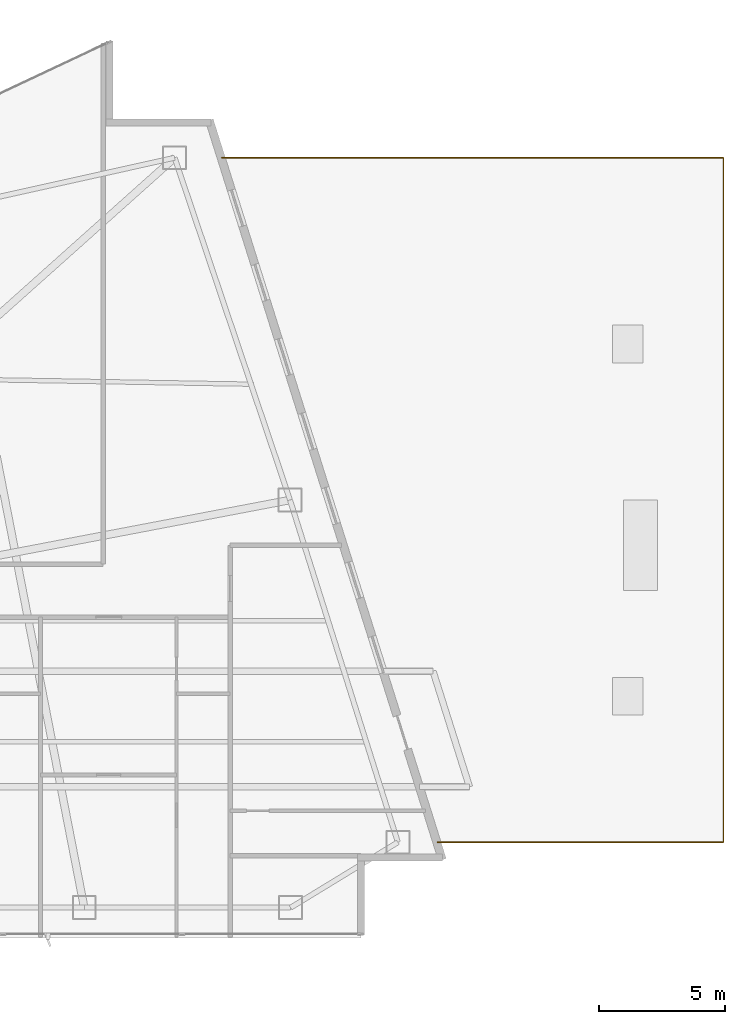
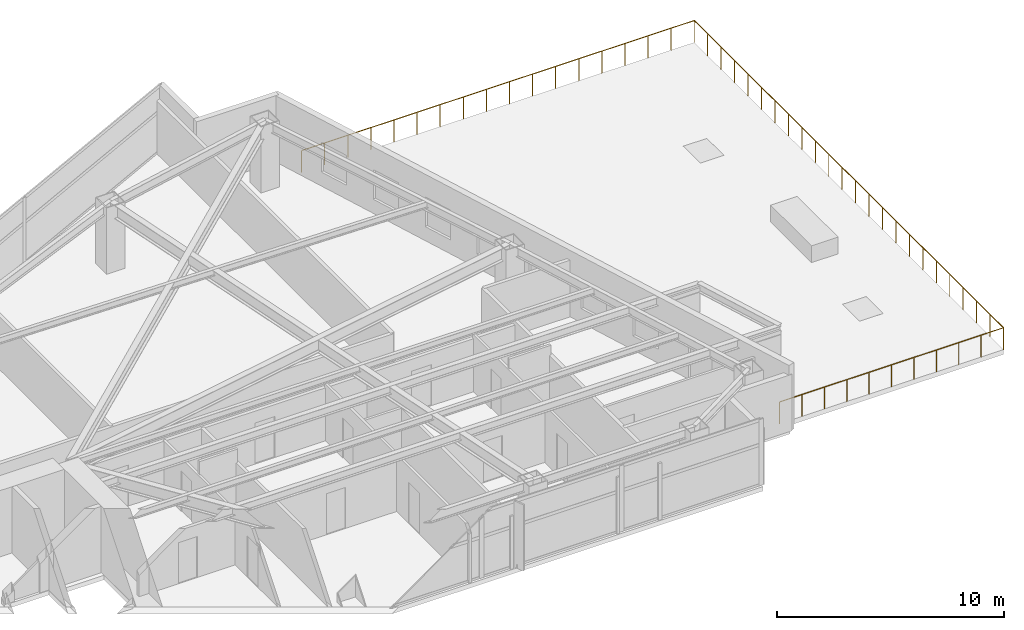
# One storey, part 30 of 30: 1 railing.
"""IFC4 building model written with IfcOpenShell, lengths in metres."""

from ifc_helpers import new_model, si_unit, direction, frame, origin, origin_2d, place, context, subcontext, project, spatial, circle, extrude, material, type_object, element, save


model = new_model("IFC4")

# Units and contexts
model_context = context("Model", 3, precision=1e-05, world=origin(), true_north=direction((0.0, 1.0)))
body_context = subcontext(model_context, "Body", "Model", "MODEL_VIEW")
ifc_project = project(units=[si_unit("LENGTHUNIT", "METRE"), si_unit("AREAUNIT", "SQUARE_METRE"), si_unit("VOLUMEUNIT", "CUBIC_METRE"), si_unit("PLANEANGLEUNIT", "RADIAN"), si_unit("MASSUNIT", "GRAM", prefix="KILO")], contexts=[model_context])

# Site, building, storey
site_placement = place(None, origin())
site = spatial("IfcSite", under=ifc_project, at=site_placement, CompositionType="ELEMENT")
building_placement = place(site_placement, origin())
building = spatial("IfcBuilding", under=site, at=building_placement, Name="Calvorn Quay Hotel", CompositionType="ELEMENT")
storey_placement = place(building_placement, frame((0.0, 0.0, 27.0)))
storey = spatial("IfcBuildingStorey", under=building, at=storey_placement, Name="L05", CompositionType="ELEMENT", Elevation=27.0)

# Railing
ifc_material = material(Name="Pale Anodised Aluminium and Laminated Glass", Category="aluminium")
railing_type = type_object("IfcRailingType", Name="RLG-BALUSTRADE-1200", PredefinedType="BALUSTRADE", material=ifc_material)
railing_placement = place(storey_placement, frame((63.430908203125, 6.199951171875, 0.0)))
element("IfcRailing", 1, at=railing_placement, inside=storey, type_object=railing_type, Name="Podium Roof Garden Balustrade", PredefinedType="BALUSTRADE", context=body_context, shape_type="SweptSolid", body=[
    extrude(circle(Radius=0.02392578125, at=origin_2d()), frame((0.0, 0.0, 1.17578125), z_axis=(1.0, 0.0, 0.0), x_axis=(0.0, 1.0, 0.0)), (0.0, 0.0, 1.0), 11.369140625),
    extrude(circle(Radius=0.02392578125, at=origin_2d()), frame((11.369140625, 0.0, 1.17578125), z_axis=(0.0, 1.0, 0.0), x_axis=(-1.0, 0.0, 0.0)), (0.0, 0.0, 1.0), 27.199951171875),
    extrude(circle(Radius=0.02392578125, at=origin_2d()), frame((11.369140625, 27.199951171875, 1.17578125), z_axis=(-1.0, 0.0, 0.0), x_axis=(0.0, -1.0, 0.0)), (0.0, 0.0, 1.0), 19.93896484375),
    extrude(circle(Radius=0.02099609375, at=origin_2d()), origin(), (0.0, 0.0, 1.0), 1.15185546875),
    extrude(circle(Radius=0.02099609375, at=origin_2d()), frame((1.136962890625, 0.0, 0.0)), (0.0, 0.0, 1.0), 1.15185546875),
    extrude(circle(Radius=0.02099609375, at=origin_2d()), frame((2.27392578125, 0.0, 0.0)), (0.0, 0.0, 1.0), 1.15185546875),
    extrude(circle(Radius=0.02099609375, at=origin_2d()), frame((3.41064453125, 0.0, 0.0)), (0.0, 0.0, 1.0), 1.15185546875),
    extrude(circle(Radius=0.02099609375, at=origin_2d()), frame((4.547607421875, 0.0, 0.0)), (0.0, 0.0, 1.0), 1.15185546875),
    extrude(circle(Radius=0.02099609375, at=origin_2d()), frame((5.6845703125, 0.0, 0.0)), (0.0, 0.0, 1.0), 1.15185546875),
    extrude(circle(Radius=0.02099609375, at=origin_2d()), frame((6.821533203125, 0.0, 0.0)), (0.0, 0.0, 1.0), 1.15185546875),
    extrude(circle(Radius=0.02099609375, at=origin_2d()), frame((7.95849609375, 0.0, 0.0)), (0.0, 0.0, 1.0), 1.15185546875),
    extrude(circle(Radius=0.02099609375, at=origin_2d()), frame((9.09521484375, 0.0, 0.0)), (0.0, 0.0, 1.0), 1.15185546875),
    extrude(circle(Radius=0.02099609375, at=origin_2d()), frame((10.232177734375, 0.0, 0.0)), (0.0, 0.0, 1.0), 1.15185546875),
    extrude(circle(Radius=0.02099609375, at=origin_2d()), frame((11.369140625, 0.0, 0.0)), (0.0, 0.0, 1.0), 1.15185546875),
    extrude(circle(Radius=0.02099609375, at=origin_2d()), frame((11.369140625, 1.1826171875, 0.0)), (0.0, 0.0, 1.0), 1.15185546875),
    extrude(circle(Radius=0.02099609375, at=origin_2d()), frame((11.369140625, 2.365234375, 0.0)), (0.0, 0.0, 1.0), 1.15185546875),
    extrude(circle(Radius=0.02099609375, at=origin_2d()), frame((11.369140625, 3.5478515625, 0.0)), (0.0, 0.0, 1.0), 1.15185546875),
    extrude(circle(Radius=0.02099609375, at=origin_2d()), frame((11.369140625, 4.73046875, 0.0)), (0.0, 0.0, 1.0), 1.15185546875),
    extrude(circle(Radius=0.02099609375, at=origin_2d()), frame((11.369140625, 5.9130859375, 0.0)), (0.0, 0.0, 1.0), 1.15185546875),
    extrude(circle(Radius=0.02099609375, at=origin_2d()), frame((11.369140625, 7.095703125, 0.0)), (0.0, 0.0, 1.0), 1.15185546875),
    extrude(circle(Radius=0.02099609375, at=origin_2d()), frame((11.369140625, 8.2783203125, 0.0)), (0.0, 0.0, 1.0), 1.15185546875),
    extrude(circle(Radius=0.02099609375, at=origin_2d()), frame((11.369140625, 9.4609375, 0.0)), (0.0, 0.0, 1.0), 1.15185546875),
    extrude(circle(Radius=0.02099609375, at=origin_2d()), frame((11.369140625, 10.6435546875, 0.0)), (0.0, 0.0, 1.0), 1.15185546875),
    extrude(circle(Radius=0.02099609375, at=origin_2d()), frame((11.369140625, 11.826171875, 0.0)), (0.0, 0.0, 1.0), 1.15185546875),
    extrude(circle(Radius=0.02099609375, at=origin_2d()), frame((11.369140625, 13.0087890625, 0.0)), (0.0, 0.0, 1.0), 1.15185546875),
    extrude(circle(Radius=0.02099609375, at=origin_2d()), frame((11.369140625, 14.191162109375, 0.0)), (0.0, 0.0, 1.0), 1.15185546875),
    extrude(circle(Radius=0.02099609375, at=origin_2d()), frame((11.369140625, 15.373779296875, 0.0)), (0.0, 0.0, 1.0), 1.15185546875),
    extrude(circle(Radius=0.02099609375, at=origin_2d()), frame((11.369140625, 16.556396484375, 0.0)), (0.0, 0.0, 1.0), 1.15185546875),
    extrude(circle(Radius=0.02099609375, at=origin_2d()), frame((11.369140625, 17.739013671875, 0.0)), (0.0, 0.0, 1.0), 1.15185546875),
    extrude(circle(Radius=0.02099609375, at=origin_2d()), frame((11.369140625, 18.921630859375, 0.0)), (0.0, 0.0, 1.0), 1.15185546875),
    extrude(circle(Radius=0.02099609375, at=origin_2d()), frame((11.369140625, 20.104248046875, 0.0)), (0.0, 0.0, 1.0), 1.15185546875),
    extrude(circle(Radius=0.02099609375, at=origin_2d()), frame((11.369140625, 21.286865234375, 0.0)), (0.0, 0.0, 1.0), 1.15185546875),
    extrude(circle(Radius=0.02099609375, at=origin_2d()), frame((11.369140625, 22.469482421875, 0.0)), (0.0, 0.0, 1.0), 1.15185546875),
    extrude(circle(Radius=0.02099609375, at=origin_2d()), frame((11.369140625, 23.652099609375, 0.0)), (0.0, 0.0, 1.0), 1.15185546875),
    extrude(circle(Radius=0.02099609375, at=origin_2d()), frame((11.369140625, 24.834716796875, 0.0)), (0.0, 0.0, 1.0), 1.15185546875),
    extrude(circle(Radius=0.02099609375, at=origin_2d()), frame((11.369140625, 26.017333984375, 0.0)), (0.0, 0.0, 1.0), 1.15185546875),
    extrude(circle(Radius=0.02099609375, at=origin_2d()), frame((11.369140625, 27.199951171875, 0.0)), (0.0, 0.0, 1.0), 1.15185546875),
    extrude(circle(Radius=0.02099609375, at=origin_2d()), frame((10.1962890625, 27.199951171875, 0.0)), (0.0, 0.0, 1.0), 1.15185546875),
    extrude(circle(Radius=0.02099609375, at=origin_2d()), frame((9.0234375, 27.199951171875, 0.0)), (0.0, 0.0, 1.0), 1.15185546875),
    extrude(circle(Radius=0.02099609375, at=origin_2d()), frame((7.8505859375, 27.199951171875, 0.0)), (0.0, 0.0, 1.0), 1.15185546875),
    extrude(circle(Radius=0.02099609375, at=origin_2d()), frame((6.677734375, 27.199951171875, 0.0)), (0.0, 0.0, 1.0), 1.15185546875),
    extrude(circle(Radius=0.02099609375, at=origin_2d()), frame((5.504638671875, 27.199951171875, 0.0)), (0.0, 0.0, 1.0), 1.15185546875),
    extrude(circle(Radius=0.02099609375, at=origin_2d()), frame((4.331787109375, 27.199951171875, 0.0)), (0.0, 0.0, 1.0), 1.15185546875),
    extrude(circle(Radius=0.02099609375, at=origin_2d()), frame((3.158935546875, 27.199951171875, 0.0)), (0.0, 0.0, 1.0), 1.15185546875),
    extrude(circle(Radius=0.02099609375, at=origin_2d()), frame((1.986083984375, 27.199951171875, 0.0)), (0.0, 0.0, 1.0), 1.15185546875),
    extrude(circle(Radius=0.02099609375, at=origin_2d()), frame((0.813232421875, 27.199951171875, 0.0)), (0.0, 0.0, 1.0), 1.15185546875),
    extrude(circle(Radius=0.02099609375, at=origin_2d()), frame((-0.359619140625, 27.199951171875, 0.0)), (0.0, 0.0, 1.0), 1.15185546875),
    extrude(circle(Radius=0.02099609375, at=origin_2d()), frame((-1.532470703125, 27.199951171875, 0.0)), (0.0, 0.0, 1.0), 1.15185546875),
    extrude(circle(Radius=0.02099609375, at=origin_2d()), frame((-2.705322265625, 27.199951171875, 0.0)), (0.0, 0.0, 1.0), 1.15185546875),
    extrude(circle(Radius=0.02099609375, at=origin_2d()), frame((-3.87841796875, 27.199951171875, 0.0)), (0.0, 0.0, 1.0), 1.15185546875),
    extrude(circle(Radius=0.02099609375, at=origin_2d()), frame((-5.05126953125, 27.199951171875, 0.0)), (0.0, 0.0, 1.0), 1.15185546875),
    extrude(circle(Radius=0.02099609375, at=origin_2d()), frame((-6.22412109375, 27.199951171875, 0.0)), (0.0, 0.0, 1.0), 1.15185546875),
    extrude(circle(Radius=0.02099609375, at=origin_2d()), frame((-7.39697265625, 27.199951171875, 0.0)), (0.0, 0.0, 1.0), 1.15185546875),
    extrude(circle(Radius=0.02099609375, at=origin_2d()), frame((-8.56982421875, 27.199951171875, 0.0)), (0.0, 0.0, 1.0), 1.15185546875),
])

save(model, "model.ifc")
